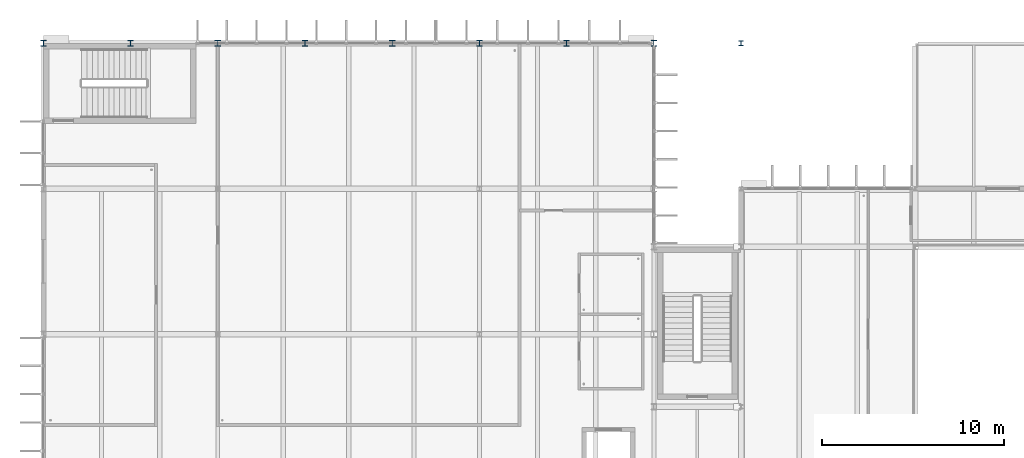
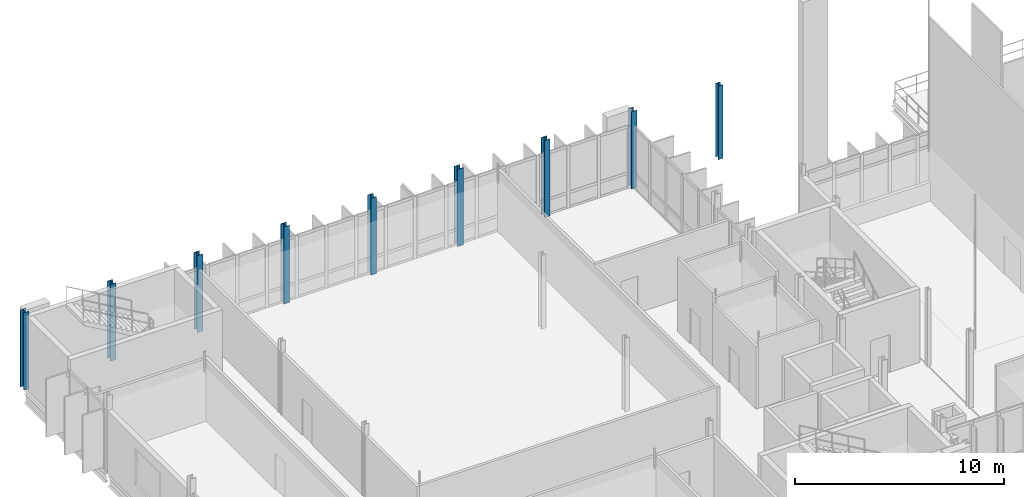
# One storey, part 3 of 41: 9 columns.
"""IFC4 building model written with IfcOpenShell, lengths in metres."""

from ifc_helpers import new_model, si_unit, direction, frame, origin, origin_2d, place, context, subcontext, project, spatial, i_section, extrude, material, material_profile, profile_set, type_object, element, save


model = new_model("IFC4")

# Units and contexts
model_context = context("Model", 3, precision=1e-05, world=origin(), true_north=direction((0.0, 1.0)))
body_context = subcontext(model_context, "Body", "Model", "MODEL_VIEW")
ifc_project = project(units=[si_unit("LENGTHUNIT", "METRE"), si_unit("AREAUNIT", "SQUARE_METRE"), si_unit("VOLUMEUNIT", "CUBIC_METRE"), si_unit("PLANEANGLEUNIT", "RADIAN"), si_unit("MASSUNIT", "GRAM", prefix="KILO")], contexts=[model_context])

# Site, building, storey
site_placement = place(None, origin())
site = spatial("IfcSite", under=ifc_project, at=site_placement, CompositionType="ELEMENT")
building_placement = place(site_placement, origin())
building = spatial("IfcBuilding", under=site, at=building_placement, Name="Dunescarp Central Library", CompositionType="ELEMENT")
storey_placement = place(building_placement, frame((0.0, 0.0, 23.10009765625)))
storey = spatial("IfcBuildingStorey", under=building, at=storey_placement, Name="L05", CompositionType="ELEMENT", Elevation=23.10009765625)

# Columns
ifc_material = material(Name="Steel S355JR", Category="steel")
ifc_material_profile_1 = material_profile(ifc_material, i_section(OverallWidth=0.26123046875, OverallDepth=0.2763671875, WebThickness=0.015380859375, FlangeThickness=0.025390625, at=origin_2d()), Name="UC 254x254x132")
ifc_profile_set_1 = profile_set([ifc_material_profile_1], Name="Steel S355JR")
column_type_1 = type_object("IfcColumnType", Name="STR-COL-UC254X132", PredefinedType="COLUMN", material=ifc_profile_set_1)
column_placement = place(storey_placement, frame((38.39990234375, 36.800048828125, 0.0), z_axis=(0.0, 0.0, 1.0), x_axis=(1.0, 0.0, 0.0)))
element("IfcColumn", 1, at=column_placement, inside=storey, type_object=column_type_1, Name="L05 column V2-384-368", PredefinedType="COLUMN", context=body_context, shape_type="SweptSolid", body=[
    extrude(i_section(OverallWidth=0.26123046875, OverallDepth=0.2763671875, WebThickness=0.015380859375, FlangeThickness=0.025390625, at=origin_2d()), origin(), (0.0, 0.0, 1.0), 4.309814453125),
])
ifc_material_profile_2 = material_profile(ifc_material, i_section(OverallWidth=0.311279296875, OverallDepth=0.3271484375, WebThickness=0.015869140625, FlangeThickness=0.02490234375, at=origin_2d()), Name="UC 305x305x158")
ifc_profile_set_2 = profile_set([ifc_material_profile_2], Name="Steel S355JR")
column_type_2 = type_object("IfcColumnType", Name="STR-COL-UC305X158", PredefinedType="COLUMN", material=ifc_profile_set_2)
for number, where, z_axis, x_axis, name in (
    (2, (0.0, 36.800048828125, 0.0), (0.0, 0.0, 1.0), (1.0, 0.0, 0.0), "L05 column V1P-0-368"),
    (3, (4.800048828125, 36.800048828125, 0.0), (0.0, 0.0, 1.0), (1.0, 0.0, 0.0), "L05 column V1P-48-368"),
    (4, (9.60009765625, 36.800048828125, 0.0), (0.0, 0.0, 1.0), (1.0, 0.0, 0.0), "L05 column V1P-96-368"),
    (5, (14.39990234375, 36.800048828125, 0.0), (0.0, 0.0, 1.0), (1.0, 0.0, 0.0), "L05 column V1P-144-368"),
    (6, (19.199951171875, 36.800048828125, 0.0), (0.0, 0.0, 1.0), (1.0, 0.0, 0.0), "L05 column V1P-192-368"),
    (7, (24.0, 36.800048828125, 0.0), (0.0, 0.0, 1.0), (1.0, 0.0, 0.0), "L05 column V1P-240-368"),
    (8, (28.800048828125, 36.800048828125, 0.0), (0.0, 0.0, 1.0), (1.0, 0.0, 0.0), "L05 column V1P-288-368"),
    (9, (33.60009765625, 36.800048828125, 0.0), (0.0, 0.0, 1.0), (1.0, 0.0, 0.0), "L05 column V1P-336-368"),
):
    element("IfcColumn", number, at=place(storey_placement, frame(where, z_axis=z_axis, x_axis=x_axis)), inside=storey, type_object=column_type_2, Name=name, PredefinedType="COLUMN", context=body_context, shape_type="SweptSolid", body=[
        extrude(i_section(OverallWidth=0.311279296875, OverallDepth=0.3271484375, WebThickness=0.015869140625, FlangeThickness=0.02490234375, at=origin_2d()), origin(), (0.0, 0.0, 1.0), 4.5),
    ])

save(model, "model.ifc")
